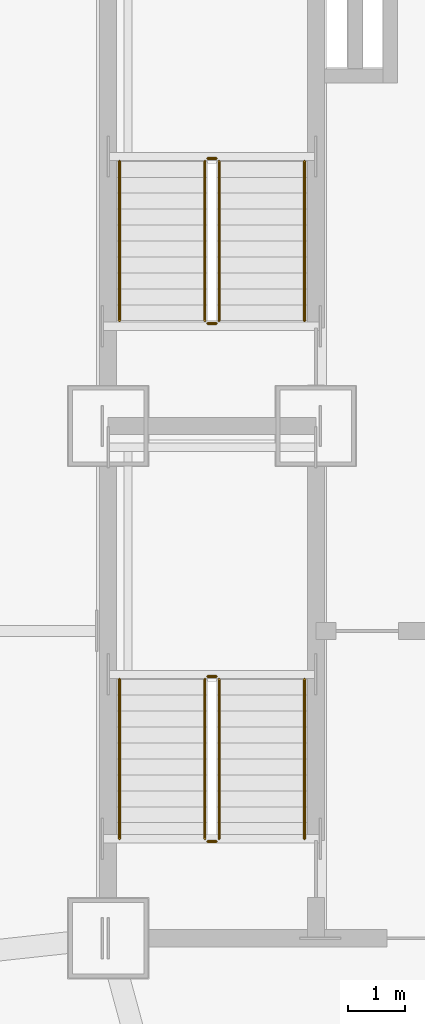
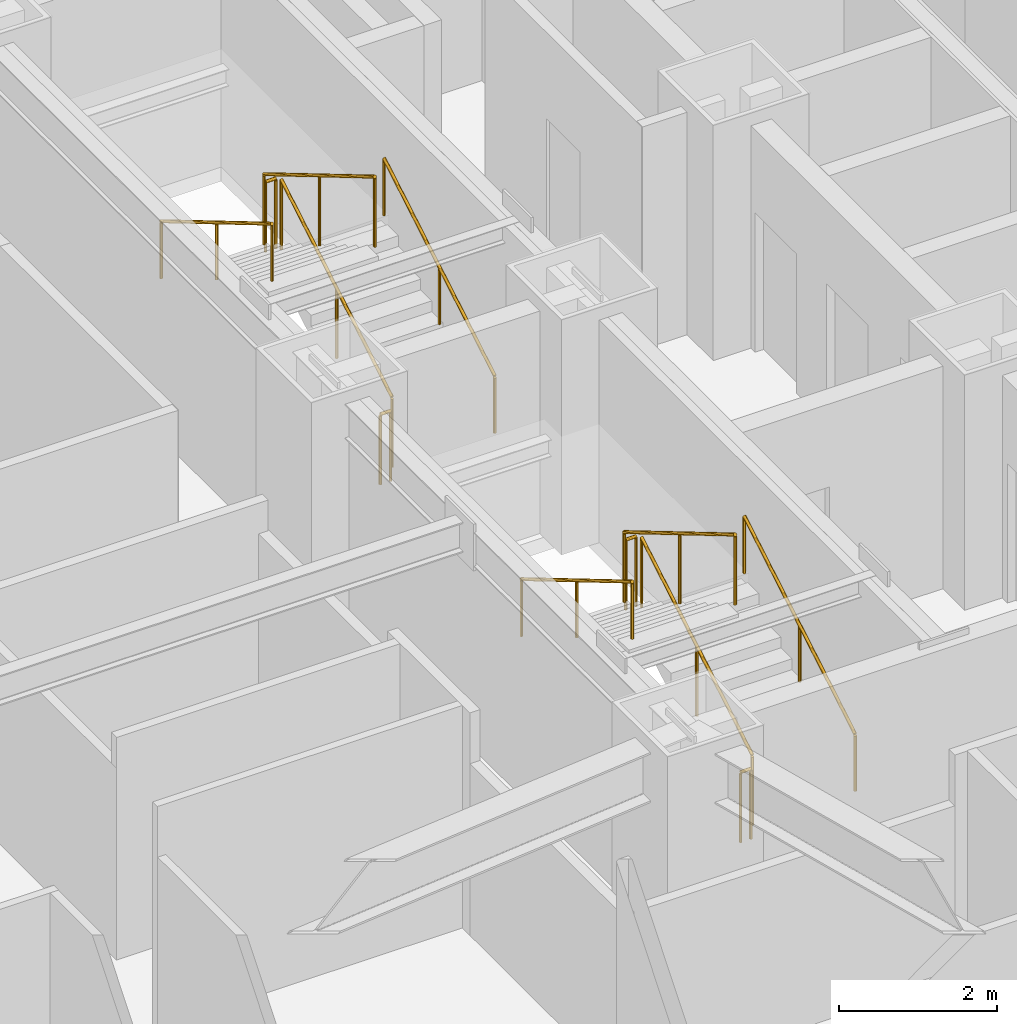
# One storey, part 14 of 14: 12 railings.
"""IFC4 building model written with IfcOpenShell, lengths in metres."""

from ifc_helpers import new_model, si_unit, direction, frame, origin, origin_2d, place, context, subcontext, project, spatial, circle, extrude, material, type_object, element, save


model = new_model("IFC4")

# Units and contexts
model_context = context("Model", 3, precision=1e-05, world=origin(), true_north=direction((0.0, 1.0)))
body_context = subcontext(model_context, "Body", "Model", "MODEL_VIEW")
ifc_project = project(units=[si_unit("LENGTHUNIT", "METRE"), si_unit("AREAUNIT", "SQUARE_METRE"), si_unit("VOLUMEUNIT", "CUBIC_METRE"), si_unit("PLANEANGLEUNIT", "RADIAN"), si_unit("MASSUNIT", "GRAM", prefix="KILO")], contexts=[model_context])

# Site, building, storey
site_placement = place(None, origin())
site = spatial("IfcSite", under=ifc_project, at=site_placement, CompositionType="ELEMENT")
building_placement = place(site_placement, origin())
building = spatial("IfcBuilding", under=site, at=building_placement, Name="Khamvora Tower", CompositionType="ELEMENT")
storey_placement = place(building_placement, frame((0.0, 0.0, 40.60009765625)))
storey = spatial("IfcBuildingStorey", under=building, at=storey_placement, Name="L09", CompositionType="ELEMENT", Elevation=40.60009765625)

# Railings
ifc_material_1 = material(Name="Brushed Stainless Steel 316", Category="steel")
railing_type_1 = type_object("IfcRailingType", Name="RAL-HDR-920", PredefinedType="HANDRAIL", material=ifc_material_1)
railing_1_placement = place(storey_placement, frame((32.449951171875, 20.75, 0.165771484375)))
element("IfcRailing", 1, at=railing_1_placement, inside=storey, type_object=railing_type_1, Name="L09 ST-01 stair handrail 1", PredefinedType="HANDRAIL", context=body_context, shape_type="SweptSolid", body=[
    extrude(circle(Radius=0.02392578125, at=origin_2d()), frame((0.0, 0.0, 0.8759765625), z_axis=(0.0, 0.860306154799, 0.50977771628), x_axis=(-1.0, 0.0, 0.0)), (0.0, 0.0, 1.0), 3.254638671875),
    extrude(circle(Radius=0.02099609375, at=origin_2d()), origin(), (0.0, 0.0, 1.0), 0.851806640625),
    extrude(circle(Radius=0.02099609375, at=origin_2d()), frame((0.0, 1.39990234375, 0.82958984375)), (0.0, 0.0, 1.0), 0.851806640625),
    extrude(circle(Radius=0.02099609375, at=origin_2d()), frame((0.0, 2.800048828125, 1.6591796875)), (0.0, 0.0, 1.0), 0.851806640625),
])
railing_2_placement = place(storey_placement, frame((29.199951171875, 23.550048828125, 1.99072265625)))
element("IfcRailing", 2, at=railing_2_placement, inside=storey, type_object=railing_type_1, Name="L09 ST-01 stair handrail 2", PredefinedType="HANDRAIL", context=body_context, shape_type="SweptSolid", body=[
    extrude(circle(Radius=0.02392578125, at=origin_2d()), frame((0.0, 0.0, 0.8759765625), z_axis=(0.0, -0.860306154799, 0.50977771628), x_axis=(1.0, 0.0, 0.0)), (0.0, 0.0, 1.0), 3.254638671875),
    extrude(circle(Radius=0.02099609375, at=origin_2d()), origin(), (0.0, 0.0, 1.0), 0.851806640625),
    extrude(circle(Radius=0.02099609375, at=origin_2d()), frame((0.0, -1.39990234375, 0.82958984375)), (0.0, 0.0, 1.0), 0.851806640625),
    extrude(circle(Radius=0.02099609375, at=origin_2d()), frame((0.0, -2.800048828125, 1.6591796875)), (0.0, 0.0, 1.0), 0.851806640625),
])
railing_3_placement = place(storey_placement, frame((32.449951171875, 29.85009765625, 0.165771484375)))
element("IfcRailing", 3, at=railing_3_placement, inside=storey, type_object=railing_type_1, Name="L09 ST-02 stair handrail 1", PredefinedType="HANDRAIL", context=body_context, shape_type="SweptSolid", body=[
    extrude(circle(Radius=0.02392578125, at=origin_2d()), frame((0.0, 0.0, 0.8759765625), z_axis=(0.0, 0.860286659441, 0.509810615413), x_axis=(-1.0, 0.0, 0.0)), (0.0, 0.0, 1.0), 3.25439453125),
    extrude(circle(Radius=0.02099609375, at=origin_2d()), origin(), (0.0, 0.0, 1.0), 0.851806640625),
    extrude(circle(Radius=0.02099609375, at=origin_2d()), frame((0.0, 1.39990234375, 0.82958984375)), (0.0, 0.0, 1.0), 0.851806640625),
    extrude(circle(Radius=0.02099609375, at=origin_2d()), frame((0.0, 2.7998046875, 1.6591796875)), (0.0, 0.0, 1.0), 0.851806640625),
])
railing_4_placement = place(storey_placement, frame((29.199951171875, 32.64990234375, 1.99072265625)))
element("IfcRailing", 4, at=railing_4_placement, inside=storey, type_object=railing_type_1, Name="L09 ST-02 stair handrail 2", PredefinedType="HANDRAIL", context=body_context, shape_type="SweptSolid", body=[
    extrude(circle(Radius=0.02392578125, at=origin_2d()), frame((0.0, 0.0, 0.8759765625), z_axis=(0.0, -0.860286659441, 0.509810615413), x_axis=(1.0, 0.0, 0.0)), (0.0, 0.0, 1.0), 3.25439453125),
    extrude(circle(Radius=0.02099609375, at=origin_2d()), origin(), (0.0, 0.0, 1.0), 0.851806640625),
    extrude(circle(Radius=0.02099609375, at=origin_2d()), frame((0.0, -1.39990234375, 0.82958984375)), (0.0, 0.0, 1.0), 0.851806640625),
    extrude(circle(Radius=0.02099609375, at=origin_2d()), frame((0.0, -2.7998046875, 1.6591796875)), (0.0, 0.0, 1.0), 0.851806640625),
])
ifc_material_2 = material(Name="Stainless Steel 316", Category="steel")
railing_type_2 = type_object("IfcRailingType", Name="RAL-STG-1100", PredefinedType="GUARDRAIL", material=ifc_material_2)
railing_5_placement = place(storey_placement, frame((30.949951171875, 20.75, 0.165771484375)))
element("IfcRailing", 5, at=railing_5_placement, inside=storey, type_object=railing_type_2, Name="L09 ST-01 stair guard 1", PredefinedType="GUARDRAIL", context=body_context, shape_type="SweptSolid", body=[
    extrude(circle(Radius=0.02392578125, at=origin_2d()), frame((0.0, 0.0, 1.076171875), z_axis=(0.0, 0.860306154799, 0.50977771628), x_axis=(-1.0, 0.0, 0.0)), (0.0, 0.0, 1.0), 3.254638671875),
    extrude(circle(Radius=0.02099609375, at=origin_2d()), origin(), (0.0, 0.0, 1.0), 1.052001953125),
    extrude(circle(Radius=0.02099609375, at=origin_2d()), frame((0.0, 1.39990234375, 0.82958984375)), (0.0, 0.0, 1.0), 1.052001953125),
    extrude(circle(Radius=0.02099609375, at=origin_2d()), frame((0.0, 2.800048828125, 1.6591796875)), (0.0, 0.0, 1.0), 1.052001953125),
])
railing_6_placement = place(storey_placement, frame((30.89990234375, 23.60009765625, 1.824951171875)))
element("IfcRailing", 6, at=railing_6_placement, inside=storey, type_object=railing_type_2, Name="L09 ST-01 stair guard 2", PredefinedType="GUARDRAIL", context=body_context, shape_type="SweptSolid", body=[
    extrude(circle(Radius=0.02392578125, at=origin_2d()), frame((0.0, 0.0, 1.076171875), z_axis=(-1.0, 0.0, 0.0), x_axis=(0.0, -1.0, 0.0)), (0.0, 0.0, 1.0), 0.14990234375),
    extrude(circle(Radius=0.02099609375, at=origin_2d()), origin(), (0.0, 0.0, 1.0), 1.052001953125),
    extrude(circle(Radius=0.02099609375, at=origin_2d()), frame((-0.14990234375, 0.0, 0.0)), (0.0, 0.0, 1.0), 1.052001953125),
])
railing_7_placement = place(storey_placement, frame((30.699951171875, 23.550048828125, 1.99072265625)))
element("IfcRailing", 7, at=railing_7_placement, inside=storey, type_object=railing_type_2, Name="L09 ST-01 stair guard 3", PredefinedType="GUARDRAIL", context=body_context, shape_type="SweptSolid", body=[
    extrude(circle(Radius=0.02392578125, at=origin_2d()), frame((0.0, 0.0, 1.076171875), z_axis=(0.0, -0.860306154799, 0.50977771628), x_axis=(1.0, 0.0, 0.0)), (0.0, 0.0, 1.0), 3.254638671875),
    extrude(circle(Radius=0.02099609375, at=origin_2d()), origin(), (0.0, 0.0, 1.0), 1.052001953125),
    extrude(circle(Radius=0.02099609375, at=origin_2d()), frame((0.0, -1.39990234375, 0.82958984375)), (0.0, 0.0, 1.0), 1.052001953125),
    extrude(circle(Radius=0.02099609375, at=origin_2d()), frame((0.0, -2.800048828125, 1.6591796875)), (0.0, 0.0, 1.0), 1.052001953125),
])
railing_8_placement = place(storey_placement, frame((30.89990234375, 20.699951171875, 0.0)))
element("IfcRailing", 8, at=railing_8_placement, inside=storey, type_object=railing_type_2, Name="L09 ST-01 stair guard 4", PredefinedType="GUARDRAIL", context=body_context, shape_type="SweptSolid", body=[
    extrude(circle(Radius=0.02392578125, at=origin_2d()), frame((0.0, 0.0, 1.076171875), z_axis=(-1.0, 0.0, 0.0), x_axis=(0.0, -1.0, 0.0)), (0.0, 0.0, 1.0), 0.14990234375),
    extrude(circle(Radius=0.02099609375, at=origin_2d()), origin(), (0.0, 0.0, 1.0), 1.052001953125),
    extrude(circle(Radius=0.02099609375, at=origin_2d()), frame((-0.14990234375, 0.0, 0.0)), (0.0, 0.0, 1.0), 1.052001953125),
])
railing_9_placement = place(storey_placement, frame((30.949951171875, 29.85009765625, 0.165771484375)))
element("IfcRailing", 9, at=railing_9_placement, inside=storey, type_object=railing_type_2, Name="L09 ST-02 stair guard 1", PredefinedType="GUARDRAIL", context=body_context, shape_type="SweptSolid", body=[
    extrude(circle(Radius=0.02392578125, at=origin_2d()), frame((0.0, 0.0, 1.076171875), z_axis=(0.0, 0.860286659441, 0.509810615413), x_axis=(-1.0, 0.0, 0.0)), (0.0, 0.0, 1.0), 3.25439453125),
    extrude(circle(Radius=0.02099609375, at=origin_2d()), origin(), (0.0, 0.0, 1.0), 1.052001953125),
    extrude(circle(Radius=0.02099609375, at=origin_2d()), frame((0.0, 1.39990234375, 0.82958984375)), (0.0, 0.0, 1.0), 1.052001953125),
    extrude(circle(Radius=0.02099609375, at=origin_2d()), frame((0.0, 2.7998046875, 1.6591796875)), (0.0, 0.0, 1.0), 1.052001953125),
])
railing_10_placement = place(storey_placement, frame((30.89990234375, 32.699951171875, 1.824951171875)))
element("IfcRailing", 10, at=railing_10_placement, inside=storey, type_object=railing_type_2, Name="L09 ST-02 stair guard 2", PredefinedType="GUARDRAIL", context=body_context, shape_type="SweptSolid", body=[
    extrude(circle(Radius=0.02392578125, at=origin_2d()), frame((0.0, 0.0, 1.076171875), z_axis=(-1.0, 0.0, 0.0), x_axis=(0.0, -1.0, 0.0)), (0.0, 0.0, 1.0), 0.14990234375),
    extrude(circle(Radius=0.02099609375, at=origin_2d()), origin(), (0.0, 0.0, 1.0), 1.052001953125),
    extrude(circle(Radius=0.02099609375, at=origin_2d()), frame((-0.14990234375, 0.0, 0.0)), (0.0, 0.0, 1.0), 1.052001953125),
])
railing_11_placement = place(storey_placement, frame((30.699951171875, 32.64990234375, 1.99072265625)))
element("IfcRailing", 11, at=railing_11_placement, inside=storey, type_object=railing_type_2, Name="L09 ST-02 stair guard 3", PredefinedType="GUARDRAIL", context=body_context, shape_type="SweptSolid", body=[
    extrude(circle(Radius=0.02392578125, at=origin_2d()), frame((0.0, 0.0, 1.076171875), z_axis=(0.0, -0.860286659441, 0.509810615413), x_axis=(1.0, 0.0, 0.0)), (0.0, 0.0, 1.0), 3.25439453125),
    extrude(circle(Radius=0.02099609375, at=origin_2d()), origin(), (0.0, 0.0, 1.0), 1.052001953125),
    extrude(circle(Radius=0.02099609375, at=origin_2d()), frame((0.0, -1.39990234375, 0.82958984375)), (0.0, 0.0, 1.0), 1.052001953125),
    extrude(circle(Radius=0.02099609375, at=origin_2d()), frame((0.0, -2.7998046875, 1.6591796875)), (0.0, 0.0, 1.0), 1.052001953125),
])
railing_12_placement = place(storey_placement, frame((30.89990234375, 29.800048828125, 0.0)))
element("IfcRailing", 12, at=railing_12_placement, inside=storey, type_object=railing_type_2, Name="L09 ST-02 stair guard 4", PredefinedType="GUARDRAIL", context=body_context, shape_type="SweptSolid", body=[
    extrude(circle(Radius=0.02392578125, at=origin_2d()), frame((0.0, 0.0, 1.076171875), z_axis=(-1.0, 0.0, 0.0), x_axis=(0.0, -1.0, 0.0)), (0.0, 0.0, 1.0), 0.14990234375),
    extrude(circle(Radius=0.02099609375, at=origin_2d()), origin(), (0.0, 0.0, 1.0), 1.052001953125),
    extrude(circle(Radius=0.02099609375, at=origin_2d()), frame((-0.14990234375, 0.0, 0.0)), (0.0, 0.0, 1.0), 1.052001953125),
])

save(model, "model.ifc")
